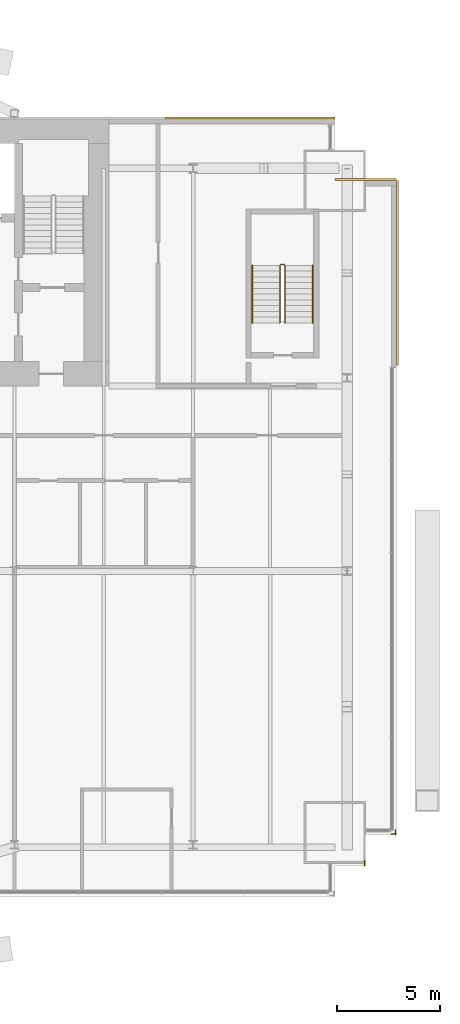
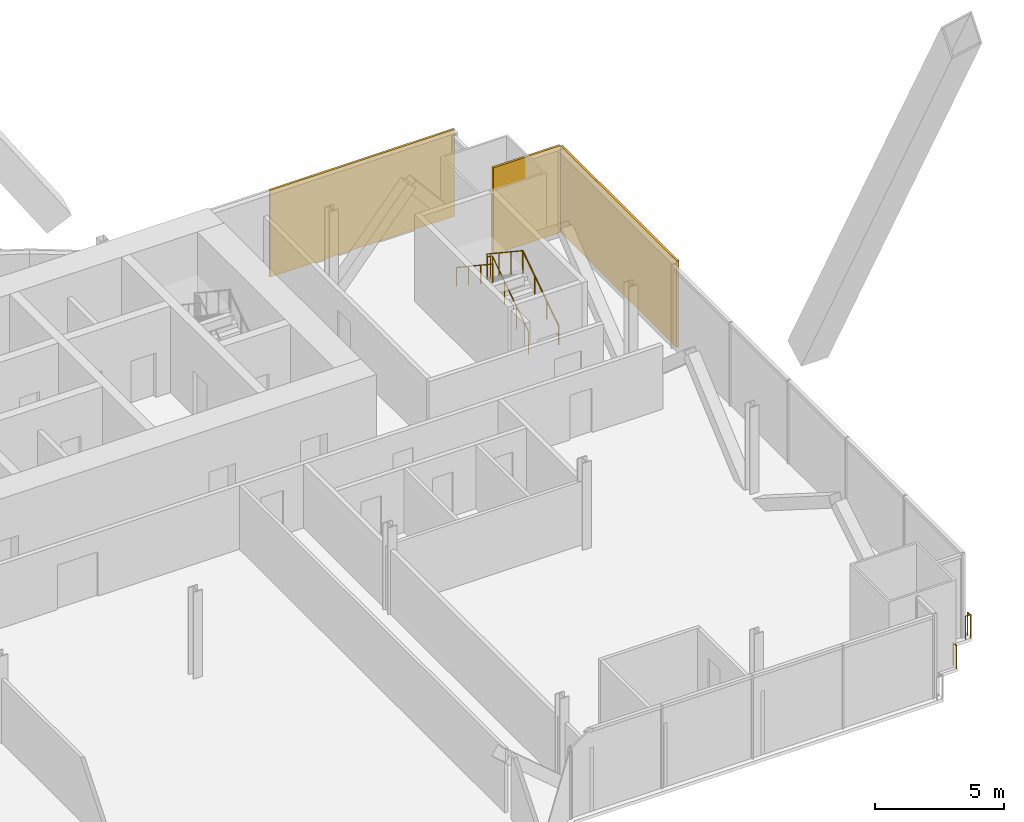
# One storey, part 23 of 23: 5 railings, 3 coverings.
"""IFC4 building model written with IfcOpenShell, lengths in metres."""

from ifc_helpers import new_model, si_unit, direction, frame, origin, origin_2d, place, context, subcontext, project, spatial, rectangle, circle, extrude, material, layer, layer_set, type_object, element, save


model = new_model("IFC4")

# Units and contexts
model_context = context("Model", 3, precision=1e-05, world=origin(), true_north=direction((0.0, 1.0)))
body_context = subcontext(model_context, "Body", "Model", "MODEL_VIEW")
ifc_project = project(units=[si_unit("LENGTHUNIT", "METRE"), si_unit("AREAUNIT", "SQUARE_METRE"), si_unit("VOLUMEUNIT", "CUBIC_METRE"), si_unit("PLANEANGLEUNIT", "RADIAN"), si_unit("MASSUNIT", "GRAM", prefix="KILO")], contexts=[model_context])

# Site, building, storey
site_placement = place(None, origin())
site = spatial("IfcSite", under=ifc_project, at=site_placement, CompositionType="ELEMENT")
building_placement = place(site_placement, origin())
building = spatial("IfcBuilding", under=site, at=building_placement, Name="Bicima Exchange Tower", CompositionType="ELEMENT")
storey_placement = place(building_placement, frame((0.0, 0.0, 110.39990234375)))
storey = spatial("IfcBuildingStorey", under=building, at=storey_placement, Name="L23", CompositionType="ELEMENT", Elevation=110.39990234375)

# Coverings
ifc_material_1 = material(Name="Bronze metal cladding")
ifc_layer_1 = layer(ifc_material_1, 0.004)
ifc_material_2 = material(Name="Ventilated cavity")
ifc_layer_2 = layer(ifc_material_2, 0.06)
ifc_material_3 = material(Name="Galvanised steel rail and mineral wool", Category="steel")
ifc_layer_3 = layer(ifc_material_3, 0.036)
ifc_layer_set = layer_set([ifc_layer_1, ifc_layer_2, ifc_layer_3], Name="Ventilated cavity")
covering_type = type_object("IfcCoveringType", Name="Bronze metal cladding panel 100", PredefinedType="CLADDING", material=ifc_layer_set)
covering_1_placement = place(storey_placement, frame((28.875, 0.050048828125, -0.14990234375), z_axis=(0.0, 0.0, 1.0), x_axis=(-1.0, 0.0, 0.0)))
element("IfcCovering", 1, at=covering_1_placement, inside=storey, type_object=covering_type, Name="Bronze cladding L23 1.1", PredefinedType="CLADDING", context=body_context, shape_type="SweptSolid", body=[
    extrude(rectangle(XDim=8.25, YDim=0.10009765625, at=origin_2d()), origin(), (0.0, 0.0, 1.0), 4.10009765625),
])
covering_2_placement = place(storey_placement, frame((36.050048828125, -7.5, -0.14990234375), z_axis=(0.0, 0.0, 1.0), x_axis=(0.0, 1.0, 0.0)))
element("IfcCovering", 2, at=covering_2_placement, inside=storey, type_object=covering_type, Name="Bronze cladding L23 50.1", PredefinedType="CLADDING", context=body_context, shape_type="SweptSolid", body=[
    extrude(rectangle(XDim=9.0, YDim=0.10009765625, at=origin_2d()), origin(), (0.0, 0.0, 1.0), 4.10009765625),
])
covering_3_placement = place(storey_placement, frame((34.5, -2.949951171875, -0.14990234375), z_axis=(0.0, 0.0, 1.0), x_axis=(-1.0, 0.0, 0.0)))
element("IfcCovering", 3, at=covering_3_placement, inside=storey, type_object=covering_type, Name="Bronze cladding L23 51.1", PredefinedType="CLADDING", context=body_context, shape_type="SweptSolid", body=[
    extrude(rectangle(XDim=3.0, YDim=0.10009765625, at=origin_2d()), origin(), (0.0, 0.0, 1.0), 4.10009765625),
])

# Railings
ifc_material_4 = material(Name="Stainless steel and bonded safety glass", Category="steel")
railing_type_1 = type_object("IfcRailingType", Name="Edge guard 1100", PredefinedType="GUARDRAIL", material=ifc_material_4)
railing_1_placement = place(storey_placement, frame((35.949951171875, -34.60302734375, 0.0)))
element("IfcRailing", 4, at=railing_1_placement, inside=storey, type_object=railing_type_1, Name="Edge guard L23 110", PredefinedType="GUARDRAIL", context=body_context, shape_type="SweptSolid", body=[
    extrude(circle(Radius=0.02392578125, at=origin_2d()), frame((0.0, 0.0, 1.076171875), z_axis=(0.0, -1.0, 0.0), x_axis=(1.0, 0.0, 0.0)), (0.0, 0.0, 1.0), 0.2490234375),
    extrude(circle(Radius=0.02392578125, at=origin_2d()), frame((0.0, -0.2490234375, 1.076171875), z_axis=(0.707106781187, 0.707106781187, 0.0), x_axis=(-0.707106781187, 0.707106781187, 0.0)), (0.0, 0.0, 1.0), 0.07080078125),
    extrude(circle(Radius=0.02392578125, at=origin_2d()), frame((0.050048828125, -0.198974609375, 1.076171875), z_axis=(-1.0, 0.0, 0.0), x_axis=(0.0, -1.0, 0.0)), (0.0, 0.0, 1.0), 0.25),
    extrude(circle(Radius=0.02099609375, at=origin_2d()), origin(), (0.0, 0.0, 1.0), 1.052001953125),
    extrude(circle(Radius=0.02099609375, at=origin_2d()), frame((0.0, -0.2490234375, 0.0)), (0.0, 0.0, 1.0), 1.052001953125),
    extrude(circle(Radius=0.02099609375, at=origin_2d()), frame((0.050048828125, -0.198974609375, 0.0)), (0.0, 0.0, 1.0), 1.052001953125),
    extrude(circle(Radius=0.02099609375, at=origin_2d()), frame((-0.199951171875, -0.198974609375, 0.0)), (0.0, 0.0, 1.0), 1.052001953125),
])
railing_2_placement = place(storey_placement, frame((34.449951171875, -36.10205078125, 0.0)))
element("IfcRailing", 5, at=railing_2_placement, inside=storey, type_object=railing_type_1, Name="Edge guard L23 111", PredefinedType="GUARDRAIL", context=body_context, shape_type="SweptSolid", body=[
    extrude(circle(Radius=0.02392578125, at=origin_2d()), frame((0.0, 0.0, 1.076171875), z_axis=(0.0, -1.0, 0.0), x_axis=(1.0, 0.0, 0.0)), (0.0, 0.0, 1.0), 0.25),
    extrude(circle(Radius=0.02099609375, at=origin_2d()), origin(), (0.0, 0.0, 1.0), 1.052001953125),
    extrude(circle(Radius=0.02099609375, at=origin_2d()), frame((0.0, -0.25, 0.0)), (0.0, 0.0, 1.0), 1.052001953125),
])
ifc_material_5 = material(Name="Stainless steel", Category="steel")
railing_type_2 = type_object("IfcRailingType", Name="Stair guard 1100", PredefinedType="GUARDRAIL", material=ifc_material_5)
railing_3_placement = place(storey_placement, frame((30.574951171875, -9.925048828125, 0.1865234375)))
element("IfcRailing", 6, at=railing_3_placement, inside=storey, type_object=railing_type_2, Name="L23 ST-EE stair guard 1", PredefinedType="GUARDRAIL", context=body_context, shape_type="SweptSolid", body=[
    extrude(circle(Radius=0.02392578125, at=origin_2d()), frame((0.0, 0.0, 1.076171875), z_axis=(0.0, 0.832485552168, 0.554046753832), x_axis=(-1.0, 0.0, 0.0)), (0.0, 0.0, 1.0), 3.363525390625),
    extrude(circle(Radius=0.02392578125, at=origin_2d()), frame((0.0, 2.800048828125, 2.939453125), z_axis=(-0.707106781187, 0.707106781187, 0.0), x_axis=(-0.707106781187, -0.707106781187, 0.0)), (0.0, 0.0, 1.0), 0.07080078125),
    extrude(circle(Radius=0.02392578125, at=origin_2d()), frame((-0.050048828125, 2.85009765625, 2.939453125), z_axis=(-1.0, 0.0, 0.0), x_axis=(0.0, -1.0, 0.0)), (0.0, 0.0, 1.0), 0.14990234375),
    extrude(circle(Radius=0.02392578125, at=origin_2d()), frame((-0.199951171875, 2.85009765625, 2.939453125), z_axis=(-0.250869701741, -0.250869701741, 0.934948546978), x_axis=(0.707106781187, -0.707106781187, 0.0)), (0.0, 0.0, 1.0), 0.199462890625),
    extrude(circle(Radius=0.02392578125, at=origin_2d()), frame((-0.25, 2.800048828125, 3.1259765625), z_axis=(0.0, -0.832485552168, 0.554046753832), x_axis=(1.0, 0.0, 0.0)), (0.0, 0.0, 1.0), 3.363525390625),
    extrude(circle(Radius=0.02099609375, at=origin_2d()), origin(), (0.0, 0.0, 1.0), 1.052001953125),
    extrude(circle(Radius=0.02099609375, at=origin_2d()), frame((0.0, 0.933349609375, 0.62109375)), (0.0, 0.0, 1.0), 1.052001953125),
    extrude(circle(Radius=0.02099609375, at=origin_2d()), frame((0.0, 1.86669921875, 1.242431640625)), (0.0, 0.0, 1.0), 1.052001953125),
    extrude(circle(Radius=0.02099609375, at=origin_2d()), frame((0.0, 2.800048828125, 1.863525390625)), (0.0, 0.0, 1.0), 1.052001953125),
    extrude(circle(Radius=0.02099609375, at=origin_2d()), frame((-0.050048828125, 2.85009765625, 1.863525390625)), (0.0, 0.0, 1.0), 1.052001953125),
    extrude(circle(Radius=0.02099609375, at=origin_2d()), frame((-0.199951171875, 2.85009765625, 1.863525390625)), (0.0, 0.0, 1.0), 1.052001953125),
    extrude(circle(Radius=0.02099609375, at=origin_2d()), frame((-0.25, 2.800048828125, 2.050048828125)), (0.0, 0.0, 1.0), 1.052001953125),
    extrude(circle(Radius=0.02099609375, at=origin_2d()), frame((-0.25, 1.86669921875, 2.671142578125)), (0.0, 0.0, 1.0), 1.052001953125),
    extrude(circle(Radius=0.02099609375, at=origin_2d()), frame((-0.25, 0.933349609375, 3.29248046875)), (0.0, 0.0, 1.0), 1.052001953125),
    extrude(circle(Radius=0.02099609375, at=origin_2d()), frame((-0.25, 0.0, 3.91357421875)), (0.0, 0.0, 1.0), 1.052001953125),
])
railing_type_3 = type_object("IfcRailingType", Name="Stair handrail 900", PredefinedType="HANDRAIL", material=ifc_material_5)
railing_4_placement = place(storey_placement, frame((31.925048828125, -9.925048828125, 0.1865234375)))
element("IfcRailing", 7, at=railing_4_placement, inside=storey, type_object=railing_type_3, Name="L23 ST-EE stair handrail 1", PredefinedType="HANDRAIL", context=body_context, shape_type="SweptSolid", body=[
    extrude(circle(Radius=0.02392578125, at=origin_2d()), frame((0.0, 0.0, 0.8759765625), z_axis=(0.0, 0.832485552168, 0.554046753832), x_axis=(-1.0, 0.0, 0.0)), (0.0, 0.0, 1.0), 3.363525390625),
    extrude(circle(Radius=0.02099609375, at=origin_2d()), origin(), (0.0, 0.0, 1.0), 0.851806640625),
    extrude(circle(Radius=0.02099609375, at=origin_2d()), frame((0.0, 0.933349609375, 0.62109375)), (0.0, 0.0, 1.0), 0.851806640625),
    extrude(circle(Radius=0.02099609375, at=origin_2d()), frame((0.0, 1.86669921875, 1.242431640625)), (0.0, 0.0, 1.0), 0.851806640625),
    extrude(circle(Radius=0.02099609375, at=origin_2d()), frame((0.0, 2.800048828125, 1.863525390625)), (0.0, 0.0, 1.0), 0.851806640625),
])
railing_5_placement = place(storey_placement, frame((28.97509765625, -7.125, 2.27685546875)))
element("IfcRailing", 8, at=railing_5_placement, inside=storey, type_object=railing_type_3, Name="L23 ST-EE stair handrail 2", PredefinedType="HANDRAIL", context=body_context, shape_type="SweptSolid", body=[
    extrude(circle(Radius=0.02392578125, at=origin_2d()), frame((0.0, 0.0, 0.8759765625), z_axis=(0.0, -0.832485552168, 0.554046753832), x_axis=(1.0, 0.0, 0.0)), (0.0, 0.0, 1.0), 3.363525390625),
    extrude(circle(Radius=0.02099609375, at=origin_2d()), origin(), (0.0, 0.0, 1.0), 0.851806640625),
    extrude(circle(Radius=0.02099609375, at=origin_2d()), frame((0.0, -0.933349609375, 0.62109375)), (0.0, 0.0, 1.0), 0.851806640625),
    extrude(circle(Radius=0.02099609375, at=origin_2d()), frame((0.0, -1.86669921875, 1.242431640625)), (0.0, 0.0, 1.0), 0.851806640625),
    extrude(circle(Radius=0.02099609375, at=origin_2d()), frame((0.0, -2.800048828125, 1.863525390625)), (0.0, 0.0, 1.0), 0.851806640625),
])

save(model, "model.ifc")
